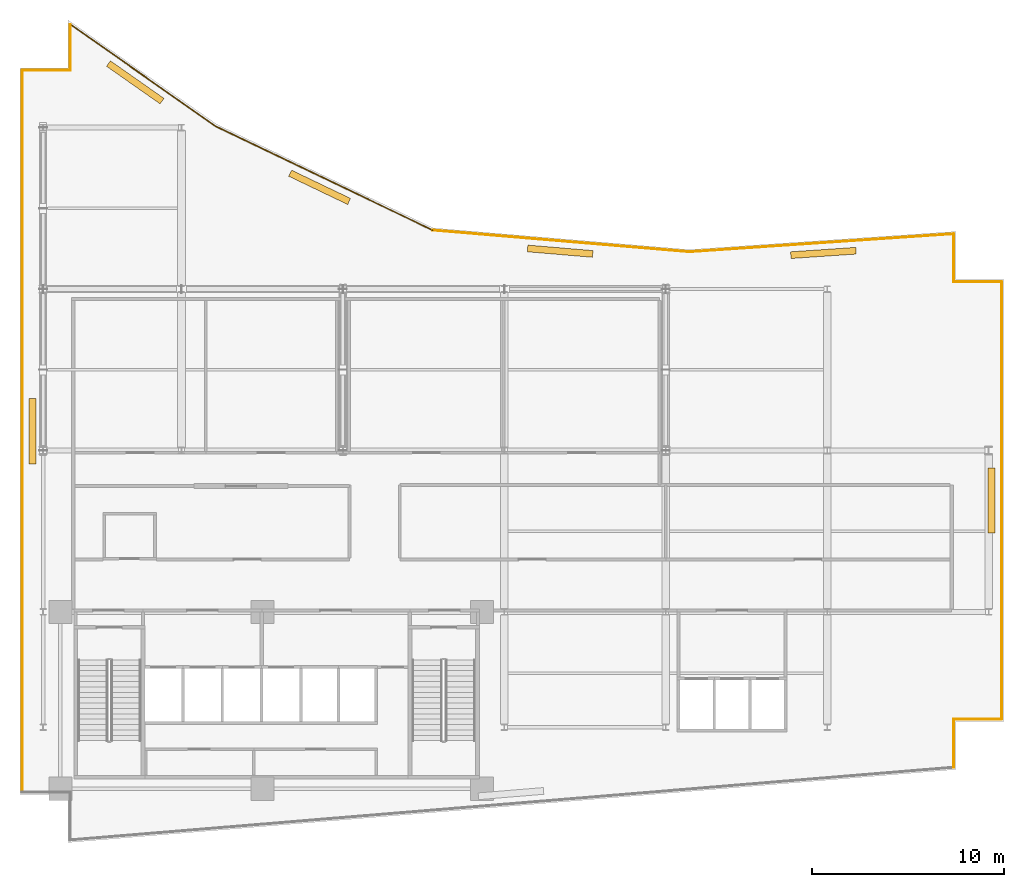
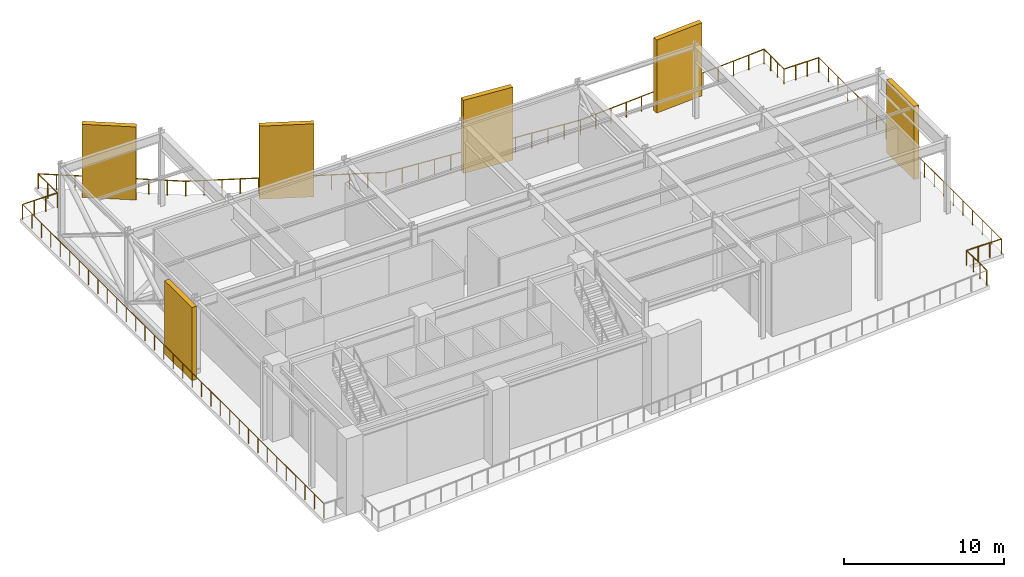
# One storey, part 13 of 13: 12 railings, 6 shading devices.
"""IFC4 building model written with IfcOpenShell, lengths in metres."""

from ifc_helpers import new_model, si_unit, direction, frame, origin, origin_2d, place, context, subcontext, project, spatial, rectangle, circle, extrude, material, layer, layer_set, type_object, element, save


model = new_model("IFC4")

# Units and contexts
model_context = context("Model", 3, precision=1e-05, world=origin(), true_north=direction((0.0, 1.0)))
body_context = subcontext(model_context, "Body", "Model", "MODEL_VIEW")
ifc_project = project(units=[si_unit("LENGTHUNIT", "METRE"), si_unit("AREAUNIT", "SQUARE_METRE"), si_unit("VOLUMEUNIT", "CUBIC_METRE"), si_unit("PLANEANGLEUNIT", "RADIAN"), si_unit("MASSUNIT", "GRAM", prefix="KILO")], contexts=[model_context])

# Site, building, storey
site_placement = place(None, origin())
site = spatial("IfcSite", under=ifc_project, at=site_placement, CompositionType="ELEMENT")
building_placement = place(site_placement, origin())
building = spatial("IfcBuilding", under=site, at=building_placement, Name="Varnakote Quay Hospital", CompositionType="ELEMENT")
storey_placement = place(building_placement, frame((0.0, 0.0, 174.449951171875)))
storey = spatial("IfcBuildingStorey", under=building, at=storey_placement, Name="L43", CompositionType="ELEMENT", Elevation=174.449951171875)

# Railings
ifc_material_1 = material(Name="Anodised aluminium 6063-T6 Bronze", Category="aluminium")
railing_type = type_object("IfcRailingType", Name="RLG-EXT-GUARD-1150", PredefinedType="GUARDRAIL", material=ifc_material_1)
railing_1_placement = place(storey_placement, frame((0.1201171875, 2.6201171875, 0.0)))
element("IfcRailing", 1, at=railing_1_placement, inside=storey, type_object=railing_type, Name="L43 Open Wind-Damping Deck Perimeter Safety Guard", PredefinedType="GUARDRAIL", context=body_context, shape_type="SweptSolid", body=[
    extrude(circle(Radius=0.02392578125, at=origin_2d()), frame((0.0, 0.0, 1.1259765625), z_axis=(0.0, 1.0, 0.0), x_axis=(-1.0, 0.0, 0.0)), (0.0, 0.0, 1.0), 37.559814453125),
    extrude(circle(Radius=0.02099609375, at=origin_2d()), origin(), (0.0, 0.0, 1.0), 1.101806640625),
    extrude(circle(Radius=0.02099609375, at=origin_2d()), frame((0.0, 1.173828125, 0.0)), (0.0, 0.0, 1.0), 1.101806640625),
    extrude(circle(Radius=0.02099609375, at=origin_2d()), frame((0.0, 2.347412109375, 0.0)), (0.0, 0.0, 1.0), 1.101806640625),
    extrude(circle(Radius=0.02099609375, at=origin_2d()), frame((0.0, 3.521240234375, 0.0)), (0.0, 0.0, 1.0), 1.101806640625),
    extrude(circle(Radius=0.02099609375, at=origin_2d()), frame((0.0, 4.695068359375, 0.0)), (0.0, 0.0, 1.0), 1.101806640625),
    extrude(circle(Radius=0.02099609375, at=origin_2d()), frame((0.0, 5.86865234375, 0.0)), (0.0, 0.0, 1.0), 1.101806640625),
    extrude(circle(Radius=0.02099609375, at=origin_2d()), frame((0.0, 7.04248046875, 0.0)), (0.0, 0.0, 1.0), 1.101806640625),
    extrude(circle(Radius=0.02099609375, at=origin_2d()), frame((0.0, 8.21630859375, 0.0)), (0.0, 0.0, 1.0), 1.101806640625),
    extrude(circle(Radius=0.02099609375, at=origin_2d()), frame((0.0, 9.389892578125, 0.0)), (0.0, 0.0, 1.0), 1.101806640625),
    extrude(circle(Radius=0.02099609375, at=origin_2d()), frame((0.0, 10.563720703125, 0.0)), (0.0, 0.0, 1.0), 1.101806640625),
    extrude(circle(Radius=0.02099609375, at=origin_2d()), frame((0.0, 11.737548828125, 0.0)), (0.0, 0.0, 1.0), 1.101806640625),
    extrude(circle(Radius=0.02099609375, at=origin_2d()), frame((0.0, 12.9111328125, 0.0)), (0.0, 0.0, 1.0), 1.101806640625),
    extrude(circle(Radius=0.02099609375, at=origin_2d()), frame((0.0, 14.0849609375, 0.0)), (0.0, 0.0, 1.0), 1.101806640625),
    extrude(circle(Radius=0.02099609375, at=origin_2d()), frame((0.0, 15.2587890625, 0.0)), (0.0, 0.0, 1.0), 1.101806640625),
    extrude(circle(Radius=0.02099609375, at=origin_2d()), frame((0.0, 16.432373046875, 0.0)), (0.0, 0.0, 1.0), 1.101806640625),
    extrude(circle(Radius=0.02099609375, at=origin_2d()), frame((0.0, 17.606201171875, 0.0)), (0.0, 0.0, 1.0), 1.101806640625),
    extrude(circle(Radius=0.02099609375, at=origin_2d()), frame((0.0, 18.77978515625, 0.0)), (0.0, 0.0, 1.0), 1.101806640625),
    extrude(circle(Radius=0.02099609375, at=origin_2d()), frame((0.0, 19.95361328125, 0.0)), (0.0, 0.0, 1.0), 1.101806640625),
    extrude(circle(Radius=0.02099609375, at=origin_2d()), frame((0.0, 21.12744140625, 0.0)), (0.0, 0.0, 1.0), 1.101806640625),
    extrude(circle(Radius=0.02099609375, at=origin_2d()), frame((0.0, 22.301025390625, 0.0)), (0.0, 0.0, 1.0), 1.101806640625),
    extrude(circle(Radius=0.02099609375, at=origin_2d()), frame((0.0, 23.474853515625, 0.0)), (0.0, 0.0, 1.0), 1.101806640625),
    extrude(circle(Radius=0.02099609375, at=origin_2d()), frame((0.0, 24.648681640625, 0.0)), (0.0, 0.0, 1.0), 1.101806640625),
    extrude(circle(Radius=0.02099609375, at=origin_2d()), frame((0.0, 25.822265625, 0.0)), (0.0, 0.0, 1.0), 1.101806640625),
    extrude(circle(Radius=0.02099609375, at=origin_2d()), frame((0.0, 26.99609375, 0.0)), (0.0, 0.0, 1.0), 1.101806640625),
    extrude(circle(Radius=0.02099609375, at=origin_2d()), frame((0.0, 28.169921875, 0.0)), (0.0, 0.0, 1.0), 1.101806640625),
    extrude(circle(Radius=0.02099609375, at=origin_2d()), frame((0.0, 29.343505859375, 0.0)), (0.0, 0.0, 1.0), 1.101806640625),
    extrude(circle(Radius=0.02099609375, at=origin_2d()), frame((0.0, 30.517333984375, 0.0)), (0.0, 0.0, 1.0), 1.101806640625),
    extrude(circle(Radius=0.02099609375, at=origin_2d()), frame((0.0, 31.691162109375, 0.0)), (0.0, 0.0, 1.0), 1.101806640625),
    extrude(circle(Radius=0.02099609375, at=origin_2d()), frame((0.0, 32.86474609375, 0.0)), (0.0, 0.0, 1.0), 1.101806640625),
    extrude(circle(Radius=0.02099609375, at=origin_2d()), frame((0.0, 34.03857421875, 0.0)), (0.0, 0.0, 1.0), 1.101806640625),
    extrude(circle(Radius=0.02099609375, at=origin_2d()), frame((0.0, 35.21240234375, 0.0)), (0.0, 0.0, 1.0), 1.101806640625),
    extrude(circle(Radius=0.02099609375, at=origin_2d()), frame((0.0, 36.385986328125, 0.0)), (0.0, 0.0, 1.0), 1.101806640625),
    extrude(circle(Radius=0.02099609375, at=origin_2d()), frame((0.0, 37.559814453125, 0.0)), (0.0, 0.0, 1.0), 1.101806640625),
])
railing_2_placement = place(storey_placement, frame((0.1201171875, 40.179931640625, 0.0)))
element("IfcRailing", 2, at=railing_2_placement, inside=storey, type_object=railing_type, Name="L43 Open Wind-Damping Deck Perimeter Safety Guard", PredefinedType="GUARDRAIL", context=body_context, shape_type="SweptSolid", body=[
    extrude(circle(Radius=0.02392578125, at=origin_2d()), frame((0.0, 0.0, 1.1259765625), z_axis=(1.0, 0.0, 0.0), x_axis=(0.0, 1.0, 0.0)), (0.0, 0.0, 1.0), 2.5),
    extrude(circle(Radius=0.02099609375, at=origin_2d()), origin(), (0.0, 0.0, 1.0), 1.101806640625),
    extrude(circle(Radius=0.02099609375, at=origin_2d()), frame((0.833251953125, 0.0, 0.0)), (0.0, 0.0, 1.0), 1.101806640625),
    extrude(circle(Radius=0.02099609375, at=origin_2d()), frame((1.666748046875, 0.0, 0.0)), (0.0, 0.0, 1.0), 1.101806640625),
    extrude(circle(Radius=0.02099609375, at=origin_2d()), frame((2.5, 0.0, 0.0)), (0.0, 0.0, 1.0), 1.101806640625),
])
railing_3_placement = place(storey_placement, frame((2.6201171875, 40.179931640625, 0.0)))
element("IfcRailing", 3, at=railing_3_placement, inside=storey, type_object=railing_type, Name="L43 Open Wind-Damping Deck Perimeter Safety Guard", PredefinedType="GUARDRAIL", context=body_context, shape_type="SweptSolid", body=[
    extrude(circle(Radius=0.02392578125, at=origin_2d()), frame((0.0, 0.0, 1.1259765625), z_axis=(0.0, 1.0, 0.0), x_axis=(-1.0, 0.0, 0.0)), (0.0, 0.0, 1.0), 2.389404296875),
    extrude(circle(Radius=0.02099609375, at=origin_2d()), origin(), (0.0, 0.0, 1.0), 1.101806640625),
    extrude(circle(Radius=0.02099609375, at=origin_2d()), frame((0.0, 1.19482421875, 0.0)), (0.0, 0.0, 1.0), 1.101806640625),
    extrude(circle(Radius=0.02099609375, at=origin_2d()), frame((0.0, 2.389404296875, 0.0)), (0.0, 0.0, 1.0), 1.101806640625),
])
railing_4_placement = place(storey_placement, frame((2.6201171875, 42.5693359375, 0.0)))
element("IfcRailing", 4, at=railing_4_placement, inside=storey, type_object=railing_type, Name="L43 Open Wind-Damping Deck Perimeter Safety Guard", PredefinedType="GUARDRAIL", context=body_context, shape_type="SweptSolid", body=[
    extrude(circle(Radius=0.02392578125, at=origin_2d()), frame((0.0, 0.0, 1.1259765625), z_axis=(0.818938557955, -0.573881205734, 0.0), x_axis=(0.573881205734, 0.818938557955, 0.0)), (0.0, 0.0, 1.0), 9.230224609375),
    extrude(circle(Radius=0.02099609375, at=origin_2d()), origin(), (0.0, 0.0, 1.0), 1.101806640625),
    extrude(circle(Radius=0.02099609375, at=origin_2d()), frame((0.94482421875, -0.662109375, 0.0)), (0.0, 0.0, 1.0), 1.101806640625),
    extrude(circle(Radius=0.02099609375, at=origin_2d()), frame((1.8896484375, -1.32421875, 0.0)), (0.0, 0.0, 1.0), 1.101806640625),
    extrude(circle(Radius=0.02099609375, at=origin_2d()), frame((2.834716796875, -1.986328125, 0.0)), (0.0, 0.0, 1.0), 1.101806640625),
    extrude(circle(Radius=0.02099609375, at=origin_2d()), frame((3.779541015625, -2.6484375, 0.0)), (0.0, 0.0, 1.0), 1.101806640625),
    extrude(circle(Radius=0.02099609375, at=origin_2d()), frame((4.724365234375, -3.310791015625, 0.0)), (0.0, 0.0, 1.0), 1.101806640625),
    extrude(circle(Radius=0.02099609375, at=origin_2d()), frame((5.66943359375, -3.972900390625, 0.0)), (0.0, 0.0, 1.0), 1.101806640625),
    extrude(circle(Radius=0.02099609375, at=origin_2d()), frame((6.6142578125, -4.635009765625, 0.0)), (0.0, 0.0, 1.0), 1.101806640625),
    extrude(circle(Radius=0.02099609375, at=origin_2d()), frame((7.55908203125, -5.297119140625, 0.0)), (0.0, 0.0, 1.0), 1.101806640625),
])
railing_5_placement = place(storey_placement, frame((10.17919921875, 37.272216796875, 0.0)))
element("IfcRailing", 5, at=railing_5_placement, inside=storey, type_object=railing_type, Name="L43 Open Wind-Damping Deck Perimeter Safety Guard", PredefinedType="GUARDRAIL", context=body_context, shape_type="SweptSolid", body=[
    extrude(circle(Radius=0.02392578125, at=origin_2d()), frame((0.0, 0.0, 1.1259765625), z_axis=(0.901852907418, -0.432043207772, 0.0), x_axis=(0.432043207772, 0.901852907418, 0.0)), (0.0, 0.0, 1.0), 12.521728515625),
    extrude(circle(Radius=0.02099609375, at=origin_2d()), origin(), (0.0, 0.0, 1.0), 1.101806640625),
    extrude(circle(Radius=0.02099609375, at=origin_2d()), frame((1.026611328125, -0.49169921875, 0.0)), (0.0, 0.0, 1.0), 1.101806640625),
    extrude(circle(Radius=0.02099609375, at=origin_2d()), frame((2.05322265625, -0.983642578125, 0.0)), (0.0, 0.0, 1.0), 1.101806640625),
    extrude(circle(Radius=0.02099609375, at=origin_2d()), frame((3.079833984375, -1.475341796875, 0.0)), (0.0, 0.0, 1.0), 1.101806640625),
    extrude(circle(Radius=0.02099609375, at=origin_2d()), frame((4.1064453125, -1.96728515625, 0.0)), (0.0, 0.0, 1.0), 1.101806640625),
    extrude(circle(Radius=0.02099609375, at=origin_2d()), frame((5.133056640625, -2.458984375, 0.0)), (0.0, 0.0, 1.0), 1.101806640625),
    extrude(circle(Radius=0.02099609375, at=origin_2d()), frame((6.15966796875, -2.950927734375, 0.0)), (0.0, 0.0, 1.0), 1.101806640625),
    extrude(circle(Radius=0.02099609375, at=origin_2d()), frame((7.186279296875, -3.442626953125, 0.0)), (0.0, 0.0, 1.0), 1.101806640625),
    extrude(circle(Radius=0.02099609375, at=origin_2d()), frame((8.212890625, -3.9345703125, 0.0)), (0.0, 0.0, 1.0), 1.101806640625),
    extrude(circle(Radius=0.02099609375, at=origin_2d()), frame((9.239501953125, -4.42626953125, 0.0)), (0.0, 0.0, 1.0), 1.101806640625),
    extrude(circle(Radius=0.02099609375, at=origin_2d()), frame((10.26611328125, -4.918212890625, 0.0)), (0.0, 0.0, 1.0), 1.101806640625),
    extrude(circle(Radius=0.02099609375, at=origin_2d()), frame((11.292724609375, -5.409912109375, 0.0)), (0.0, 0.0, 1.0), 1.101806640625),
])
railing_6_placement = place(storey_placement, frame((21.471923828125, 31.8623046875, 0.0)))
element("IfcRailing", 6, at=railing_6_placement, inside=storey, type_object=railing_type, Name="L43 Open Wind-Damping Deck Perimeter Safety Guard", PredefinedType="GUARDRAIL", context=body_context, shape_type="SweptSolid", body=[
    extrude(circle(Radius=0.02392578125, at=origin_2d()), frame((0.0, 0.0, 1.1259765625), z_axis=(0.996453741165, -0.084142389539, 0.0), x_axis=(0.084142389539, 0.996453741165, 0.0)), (0.0, 0.0, 1.0), 13.390625),
    extrude(circle(Radius=0.02099609375, at=origin_2d()), origin(), (0.0, 0.0, 1.0), 1.101806640625),
    extrude(circle(Radius=0.02099609375, at=origin_2d()), frame((1.11181640625, -0.093994140625, 0.0)), (0.0, 0.0, 1.0), 1.101806640625),
    extrude(circle(Radius=0.02099609375, at=origin_2d()), frame((2.223876953125, -0.187744140625, 0.0)), (0.0, 0.0, 1.0), 1.101806640625),
    extrude(circle(Radius=0.02099609375, at=origin_2d()), frame((3.335693359375, -0.28173828125, 0.0)), (0.0, 0.0, 1.0), 1.101806640625),
    extrude(circle(Radius=0.02099609375, at=origin_2d()), frame((4.44775390625, -0.37548828125, 0.0)), (0.0, 0.0, 1.0), 1.101806640625),
    extrude(circle(Radius=0.02099609375, at=origin_2d()), frame((5.5595703125, -0.469482421875, 0.0)), (0.0, 0.0, 1.0), 1.101806640625),
    extrude(circle(Radius=0.02099609375, at=origin_2d()), frame((6.67138671875, -0.5634765625, 0.0)), (0.0, 0.0, 1.0), 1.101806640625),
    extrude(circle(Radius=0.02099609375, at=origin_2d()), frame((7.783447265625, -0.6572265625, 0.0)), (0.0, 0.0, 1.0), 1.101806640625),
    extrude(circle(Radius=0.02099609375, at=origin_2d()), frame((8.895263671875, -0.751220703125, 0.0)), (0.0, 0.0, 1.0), 1.101806640625),
    extrude(circle(Radius=0.02099609375, at=origin_2d()), frame((10.00732421875, -0.844970703125, 0.0)), (0.0, 0.0, 1.0), 1.101806640625),
    extrude(circle(Radius=0.02099609375, at=origin_2d()), frame((11.119140625, -0.93896484375, 0.0)), (0.0, 0.0, 1.0), 1.101806640625),
    extrude(circle(Radius=0.02099609375, at=origin_2d()), frame((12.231201171875, -1.03271484375, 0.0)), (0.0, 0.0, 1.0), 1.101806640625),
    extrude(circle(Radius=0.02099609375, at=origin_2d()), frame((13.343017578125, -1.126708984375, 0.0)), (0.0, 0.0, 1.0), 1.101806640625),
])
railing_7_placement = place(storey_placement, frame((34.81494140625, 30.735595703125, 0.0)))
element("IfcRailing", 7, at=railing_7_placement, inside=storey, type_object=railing_type, Name="L43 Open Wind-Damping Deck Perimeter Safety Guard", PredefinedType="GUARDRAIL", context=body_context, shape_type="SweptSolid", body=[
    extrude(circle(Radius=0.02392578125, at=origin_2d()), frame((0.0, 0.0, 1.1259765625), z_axis=(0.997695958499, 0.067843749865, 0.0), x_axis=(-0.067843749865, 0.997695958499, 0.0)), (0.0, 0.0, 1.0), 13.796875),
    extrude(circle(Radius=0.02099609375, at=origin_2d()), origin(), (0.0, 0.0, 1.0), 1.101806640625),
    extrude(circle(Radius=0.02099609375, at=origin_2d()), frame((1.14697265625, 0.078125, 0.0)), (0.0, 0.0, 1.0), 1.101806640625),
    extrude(circle(Radius=0.02099609375, at=origin_2d()), frame((2.294189453125, 0.156005859375, 0.0)), (0.0, 0.0, 1.0), 1.101806640625),
    extrude(circle(Radius=0.02099609375, at=origin_2d()), frame((3.44140625, 0.23388671875, 0.0)), (0.0, 0.0, 1.0), 1.101806640625),
    extrude(circle(Radius=0.02099609375, at=origin_2d()), frame((4.58837890625, 0.31201171875, 0.0)), (0.0, 0.0, 1.0), 1.101806640625),
    extrude(circle(Radius=0.02099609375, at=origin_2d()), frame((5.7353515625, 0.39013671875, 0.0)), (0.0, 0.0, 1.0), 1.101806640625),
    extrude(circle(Radius=0.02099609375, at=origin_2d()), frame((6.882568359375, 0.468017578125, 0.0)), (0.0, 0.0, 1.0), 1.101806640625),
    extrude(circle(Radius=0.02099609375, at=origin_2d()), frame((8.02978515625, 0.5458984375, 0.0)), (0.0, 0.0, 1.0), 1.101806640625),
    extrude(circle(Radius=0.02099609375, at=origin_2d()), frame((9.1767578125, 0.6240234375, 0.0)), (0.0, 0.0, 1.0), 1.101806640625),
    extrude(circle(Radius=0.02099609375, at=origin_2d()), frame((10.32373046875, 0.7021484375, 0.0)), (0.0, 0.0, 1.0), 1.101806640625),
    extrude(circle(Radius=0.02099609375, at=origin_2d()), frame((11.470947265625, 0.780029296875, 0.0)), (0.0, 0.0, 1.0), 1.101806640625),
    extrude(circle(Radius=0.02099609375, at=origin_2d()), frame((12.6181640625, 0.85791015625, 0.0)), (0.0, 0.0, 1.0), 1.101806640625),
    extrude(circle(Radius=0.02099609375, at=origin_2d()), frame((13.76513671875, 0.93603515625, 0.0)), (0.0, 0.0, 1.0), 1.101806640625),
])
railing_8_placement = place(storey_placement, frame((48.580078125, 31.671630859375, 0.0)))
element("IfcRailing", 8, at=railing_8_placement, inside=storey, type_object=railing_type, Name="L43 Open Wind-Damping Deck Perimeter Safety Guard", PredefinedType="GUARDRAIL", context=body_context, shape_type="SweptSolid", body=[
    extrude(circle(Radius=0.02392578125, at=origin_2d()), frame((0.0, 0.0, 1.1259765625), z_axis=(0.0, -1.0, 0.0), x_axis=(1.0, 0.0, 0.0)), (0.0, 0.0, 1.0), 2.49169921875),
    extrude(circle(Radius=0.02099609375, at=origin_2d()), origin(), (0.0, 0.0, 1.0), 1.101806640625),
    extrude(circle(Radius=0.02099609375, at=origin_2d()), frame((0.0, -0.83056640625, 0.0)), (0.0, 0.0, 1.0), 1.101806640625),
    extrude(circle(Radius=0.02099609375, at=origin_2d()), frame((0.0, -1.6611328125, 0.0)), (0.0, 0.0, 1.0), 1.101806640625),
    extrude(circle(Radius=0.02099609375, at=origin_2d()), frame((0.0, -2.49169921875, 0.0)), (0.0, 0.0, 1.0), 1.101806640625),
])
railing_9_placement = place(storey_placement, frame((48.580078125, 29.179931640625, 0.0)))
element("IfcRailing", 9, at=railing_9_placement, inside=storey, type_object=railing_type, Name="L43 Open Wind-Damping Deck Perimeter Safety Guard", PredefinedType="GUARDRAIL", context=body_context, shape_type="SweptSolid", body=[
    extrude(circle(Radius=0.02392578125, at=origin_2d()), frame((0.0, 0.0, 1.1259765625), z_axis=(1.0, 0.0, 0.0), x_axis=(0.0, 1.0, 0.0)), (0.0, 0.0, 1.0), 2.5),
    extrude(circle(Radius=0.02099609375, at=origin_2d()), origin(), (0.0, 0.0, 1.0), 1.101806640625),
    extrude(circle(Radius=0.02099609375, at=origin_2d()), frame((0.833251953125, 0.0, 0.0)), (0.0, 0.0, 1.0), 1.101806640625),
    extrude(circle(Radius=0.02099609375, at=origin_2d()), frame((1.666748046875, 0.0, 0.0)), (0.0, 0.0, 1.0), 1.101806640625),
    extrude(circle(Radius=0.02099609375, at=origin_2d()), frame((2.5, 0.0, 0.0)), (0.0, 0.0, 1.0), 1.101806640625),
])
railing_10_placement = place(storey_placement, frame((51.080078125, 29.179931640625, 0.0)))
element("IfcRailing", 10, at=railing_10_placement, inside=storey, type_object=railing_type, Name="L43 Open Wind-Damping Deck Perimeter Safety Guard", PredefinedType="GUARDRAIL", context=body_context, shape_type="SweptSolid", body=[
    extrude(circle(Radius=0.02392578125, at=origin_2d()), frame((0.0, 0.0, 1.1259765625), z_axis=(0.0, -1.0, 0.0), x_axis=(1.0, 0.0, 0.0)), (0.0, 0.0, 1.0), 22.760009765625),
    extrude(circle(Radius=0.02099609375, at=origin_2d()), origin(), (0.0, 0.0, 1.0), 1.101806640625),
    extrude(circle(Radius=0.02099609375, at=origin_2d()), frame((0.0, -1.197998046875, 0.0)), (0.0, 0.0, 1.0), 1.101806640625),
    extrude(circle(Radius=0.02099609375, at=origin_2d()), frame((0.0, -2.395751953125, 0.0)), (0.0, 0.0, 1.0), 1.101806640625),
    extrude(circle(Radius=0.02099609375, at=origin_2d()), frame((0.0, -3.59375, 0.0)), (0.0, 0.0, 1.0), 1.101806640625),
    extrude(circle(Radius=0.02099609375, at=origin_2d()), frame((0.0, -4.79150390625, 0.0)), (0.0, 0.0, 1.0), 1.101806640625),
    extrude(circle(Radius=0.02099609375, at=origin_2d()), frame((0.0, -5.989501953125, 0.0)), (0.0, 0.0, 1.0), 1.101806640625),
    extrude(circle(Radius=0.02099609375, at=origin_2d()), frame((0.0, -7.187255859375, 0.0)), (0.0, 0.0, 1.0), 1.101806640625),
    extrude(circle(Radius=0.02099609375, at=origin_2d()), frame((0.0, -8.38525390625, 0.0)), (0.0, 0.0, 1.0), 1.101806640625),
    extrude(circle(Radius=0.02099609375, at=origin_2d()), frame((0.0, -9.583251953125, 0.0)), (0.0, 0.0, 1.0), 1.101806640625),
    extrude(circle(Radius=0.02099609375, at=origin_2d()), frame((0.0, -10.781005859375, 0.0)), (0.0, 0.0, 1.0), 1.101806640625),
    extrude(circle(Radius=0.02099609375, at=origin_2d()), frame((0.0, -11.97900390625, 0.0)), (0.0, 0.0, 1.0), 1.101806640625),
    extrude(circle(Radius=0.02099609375, at=origin_2d()), frame((0.0, -13.1767578125, 0.0)), (0.0, 0.0, 1.0), 1.101806640625),
    extrude(circle(Radius=0.02099609375, at=origin_2d()), frame((0.0, -14.374755859375, 0.0)), (0.0, 0.0, 1.0), 1.101806640625),
    extrude(circle(Radius=0.02099609375, at=origin_2d()), frame((0.0, -15.57275390625, 0.0)), (0.0, 0.0, 1.0), 1.101806640625),
    extrude(circle(Radius=0.02099609375, at=origin_2d()), frame((0.0, -16.7705078125, 0.0)), (0.0, 0.0, 1.0), 1.101806640625),
    extrude(circle(Radius=0.02099609375, at=origin_2d()), frame((0.0, -17.968505859375, 0.0)), (0.0, 0.0, 1.0), 1.101806640625),
    extrude(circle(Radius=0.02099609375, at=origin_2d()), frame((0.0, -19.166259765625, 0.0)), (0.0, 0.0, 1.0), 1.101806640625),
    extrude(circle(Radius=0.02099609375, at=origin_2d()), frame((0.0, -20.3642578125, 0.0)), (0.0, 0.0, 1.0), 1.101806640625),
    extrude(circle(Radius=0.02099609375, at=origin_2d()), frame((0.0, -21.56201171875, 0.0)), (0.0, 0.0, 1.0), 1.101806640625),
    extrude(circle(Radius=0.02099609375, at=origin_2d()), frame((0.0, -22.760009765625, 0.0)), (0.0, 0.0, 1.0), 1.101806640625),
])
railing_11_placement = place(storey_placement, frame((51.080078125, 6.419921875, 0.0)))
element("IfcRailing", 11, at=railing_11_placement, inside=storey, type_object=railing_type, Name="L43 Open Wind-Damping Deck Perimeter Safety Guard", PredefinedType="GUARDRAIL", context=body_context, shape_type="SweptSolid", body=[
    extrude(circle(Radius=0.02392578125, at=origin_2d()), frame((0.0, 0.0, 1.1259765625), z_axis=(-1.0, 0.0, 0.0), x_axis=(0.0, -1.0, 0.0)), (0.0, 0.0, 1.0), 2.5),
    extrude(circle(Radius=0.02099609375, at=origin_2d()), origin(), (0.0, 0.0, 1.0), 1.101806640625),
    extrude(circle(Radius=0.02099609375, at=origin_2d()), frame((-0.833251953125, 0.0, 0.0)), (0.0, 0.0, 1.0), 1.101806640625),
    extrude(circle(Radius=0.02099609375, at=origin_2d()), frame((-1.666748046875, 0.0, 0.0)), (0.0, 0.0, 1.0), 1.101806640625),
    extrude(circle(Radius=0.02099609375, at=origin_2d()), frame((-2.5, 0.0, 0.0)), (0.0, 0.0, 1.0), 1.101806640625),
])
railing_12_placement = place(storey_placement, frame((48.580078125, 6.419921875, 0.0)))
element("IfcRailing", 12, at=railing_12_placement, inside=storey, type_object=railing_type, Name="L43 Open Wind-Damping Deck Perimeter Safety Guard", PredefinedType="GUARDRAIL", context=body_context, shape_type="SweptSolid", body=[
    extrude(circle(Radius=0.02392578125, at=origin_2d()), frame((0.0, 0.0, 1.1259765625), z_axis=(0.0, -1.0, 0.0), x_axis=(1.0, 0.0, 0.0)), (0.0, 0.0, 1.0), 2.509521484375),
    extrude(circle(Radius=0.02099609375, at=origin_2d()), origin(), (0.0, 0.0, 1.0), 1.101806640625),
    extrude(circle(Radius=0.02099609375, at=origin_2d()), frame((0.0, -0.83642578125, 0.0)), (0.0, 0.0, 1.0), 1.101806640625),
    extrude(circle(Radius=0.02099609375, at=origin_2d()), frame((0.0, -1.673095703125, 0.0)), (0.0, 0.0, 1.0), 1.101806640625),
    extrude(circle(Radius=0.02099609375, at=origin_2d()), frame((0.0, -2.509521484375, 0.0)), (0.0, 0.0, 1.0), 1.101806640625),
])

# Shading devices
ifc_material_2 = material(Name="Precast concrete N50 (f'c 50 MPa)", Category="concrete")
ifc_layer = layer(ifc_material_2, 0.35009765625)
ifc_layer_set = layer_set([ifc_layer], Name="Precast concrete N50 (f'c 50 MPa)")
shading_device_type = type_object("IfcShadingDeviceType", Name="SHD-BRICK-OCULUS-350", PredefinedType="USERDEFINED", material=ifc_layer_set)
for number, where, z_axis, x_axis, name in (
    (13, (50.550048828125, 17.800048828125, 0.0), (0.0, 0.0, 1.0), (0.0, 1.0, 0.0), "L43 Brick Oculus Wind Screen"),
    (14, (41.802001953125, 30.679443359375, 0.0), (0.0, 0.0, 1.0), (-0.997696134548, -0.067841160875, 0.0), "L43 Brick Oculus Wind Screen"),
    (15, (28.105224609375, 30.770263671875, 0.0), (0.0, 0.0, 1.0), (-0.996448909038, 0.084199594279, 0.0), "L43 Brick Oculus Wind Screen"),
    (16, (15.59130859375, 34.091796875, 0.0), (0.0, 0.0, 1.0), (-0.901832526405, 0.432085748802, 0.0), "L43 Brick Oculus Wind Screen"),
    (17, (5.9970703125, 39.5556640625, 0.0), (0.0, 0.0, 1.0), (-0.818951778441, 0.573862339406, 0.0), "L43 Brick Oculus Wind Screen"),
    (18, (0.64990234375, 21.39990234375, 0.0), (0.0, 0.0, 1.0), (0.0, -1.0, 0.0), "L43 Brick Oculus Wind Screen"),
):
    element("IfcShadingDevice", number, at=place(storey_placement, frame(where, z_axis=z_axis, x_axis=x_axis)), inside=storey, type_object=shading_device_type, Name=name, ObjectType="OCULUS", PredefinedType="USERDEFINED", context=body_context, shape_type="SweptSolid", body=[
        extrude(rectangle(XDim=3.39990234375, YDim=0.35009765625, at=origin_2d()), origin(), (0.0, 0.0, 1.0), 5.56005859375),
    ])

save(model, "model.ifc")
